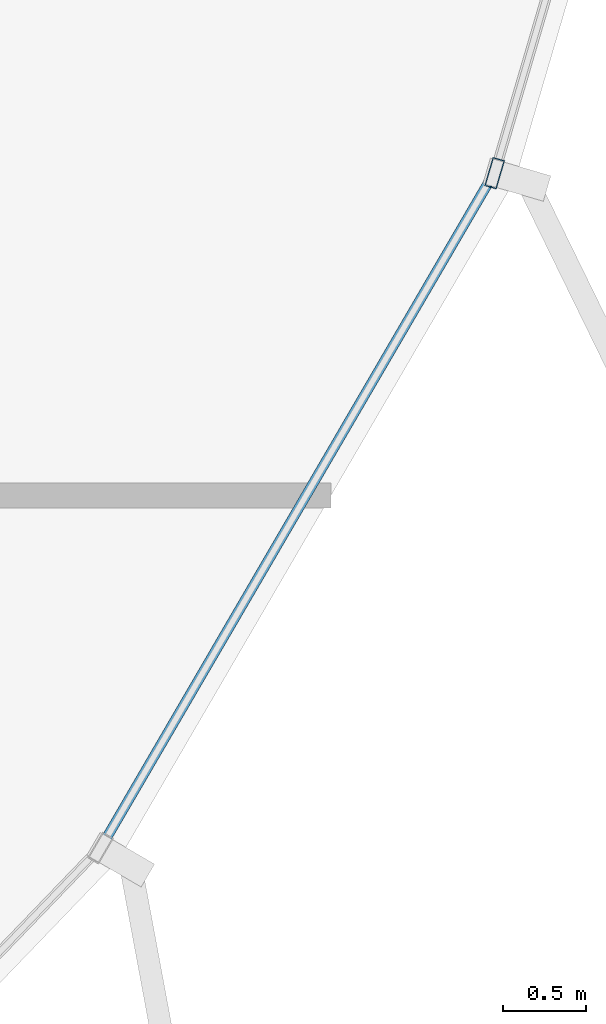
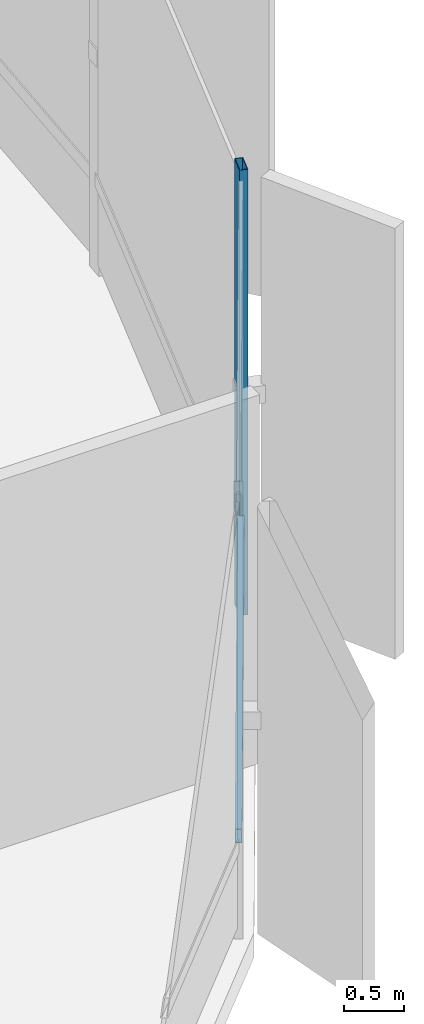
# One storey, part 17 of 34: 2 members, 1 element without a shape of its own.
"""IFC4 building model written with IfcOpenShell, lengths in metres."""

from ifc_helpers import new_model, si_unit, direction, frame, origin, origin_2d, place, context, subcontext, project, spatial, hollow_rectangle, extrude, source, transform, mapped, material, layer, layer_set, material_profile, profile_set, type_object, element, aggregate, save


model = new_model("IFC4")

# Units and contexts
model_context = context("Model", 3, precision=1e-05, world=origin(), true_north=direction((0.0, 1.0)))
body_context = subcontext(model_context, "Body", "Model", "MODEL_VIEW")
ifc_project = project(units=[si_unit("LENGTHUNIT", "METRE"), si_unit("AREAUNIT", "SQUARE_METRE"), si_unit("VOLUMEUNIT", "CUBIC_METRE"), si_unit("PLANEANGLEUNIT", "RADIAN"), si_unit("MASSUNIT", "GRAM", prefix="KILO"), si_unit("THERMODYNAMICTEMPERATUREUNIT", "KELVIN")], contexts=[model_context])

# Site, building, storey
site_placement = place(None, origin())
site = spatial("IfcSite", under=ifc_project, at=site_placement, CompositionType="ELEMENT")
building_placement = place(site_placement, origin())
building = spatial("IfcBuilding", under=site, at=building_placement, Name="Kethvar Cultural Tower", CompositionType="ELEMENT")
storey_placement = place(building_placement, frame((0.0, 0.0, 5.199951171875)))
storey = spatial("IfcBuildingStorey", under=building, at=storey_placement, Name="L01", CompositionType="ELEMENT", Elevation=5.199951171875)

# Curtain wall, members
ifc_material = material(Name="Aluminium 6063-T6", Category="aluminium")
ifc_layer = layer(ifc_material, 0.179931640625, Name="Aluminium 6063-T6", Category="aluminium")
ifc_layer_set = layer_set([ifc_layer], Name="Aluminium 6063-T6 (180 mm)")
curtain_wall_type = type_object("IfcCurtainWallType", Name="CW-SYS-01-POD", PredefinedType="NOTDEFINED", material=ifc_layer_set)
curtain_wall_placement = place(storey_placement, origin())
curtain_wall = element("IfcCurtainWall", 1, at=curtain_wall_placement, inside=storey, type_object=curtain_wall_type, Name="L01 Curtain Wall Run 06", PredefinedType="NOTDEFINED")
ifc_material_profile_1 = material_profile(ifc_material, hollow_rectangle(XDim=0.06005859375, YDim=0.139892578125, WallThickness=0.0048828125, at=origin_2d()), Name="Aluminium 6063-T6 — RHS140x60x5")
ifc_profile_set_1 = profile_set([ifc_material_profile_1], Name="Aluminium 6063-T6 — RHS140x60x5")
member_type_1 = type_object("IfcMemberType", Name="CW-SYS-01-POD-TRN", PredefinedType="USERDEFINED", material=ifc_profile_set_1)
shared_shape_1 = source(origin(), body_context, "Body", "SweptSolid", [
    extrude(hollow_rectangle(XDim=0.06005859375, YDim=0.139892578125, WallThickness=0.0048828125, at=origin_2d()), origin(), (0.0, 0.0, 1.0), 4.639892578125),
])
member_1_placement = place(storey_placement, frame((78.79931640625, 11.71826171875, 0.949951171875), z_axis=(0.503504560489, 0.863992568004, 0.0), x_axis=(-0.863992568004, 0.503504560489, 0.0)))
member_1 = element("IfcMember", 2, at=member_1_placement, type_object=member_type_1, Name="CW-L01-R06 Transom 2", ObjectType="TRANSOM", PredefinedType="USERDEFINED", context=body_context, shape_type="MappedRepresentation", body=[
    mapped(shared_shape_1, transform((0.0, 0.0, 0.0), scale=1.0)),
])
ifc_material_profile_2 = material_profile(ifc_material, hollow_rectangle(XDim=0.074951171875, YDim=0.179931640625, WallThickness=0.006103515625, at=origin_2d()), Name="Aluminium 6063-T6 — RHS180x75x6")
ifc_profile_set_2 = profile_set([ifc_material_profile_2], Name="Aluminium 6063-T6 — RHS180x75x6")
member_type_2 = type_object("IfcMemberType", Name="CW-SYS-01-POD-MUL", PredefinedType="MULLION", material=ifc_profile_set_2)
shared_shape_2 = source(origin(), body_context, "Body", "SweptSolid", [
    extrude(hollow_rectangle(XDim=0.074951171875, YDim=0.179931640625, WallThickness=0.006103515625, at=origin_2d()), origin(), (0.0, 0.0, 1.0), 4.550048828125),
])
member_2_placement = place(storey_placement, frame((81.150390625, 15.744873046875, 0.0), z_axis=(0.0, 0.0, 1.0), x_axis=(-0.959496102658, 0.28172190008, 0.0)))
member_2 = element("IfcMember", 3, at=member_2_placement, type_object=member_type_2, Name="CW-L01-R06 Mullion 3", PredefinedType="MULLION", context=body_context, shape_type="MappedRepresentation", body=[
    mapped(shared_shape_2, transform((0.0, 0.0, 0.0), scale=1.0)),
])
aggregate(curtain_wall, [member_2, member_1])

save(model, "model.ifc")
